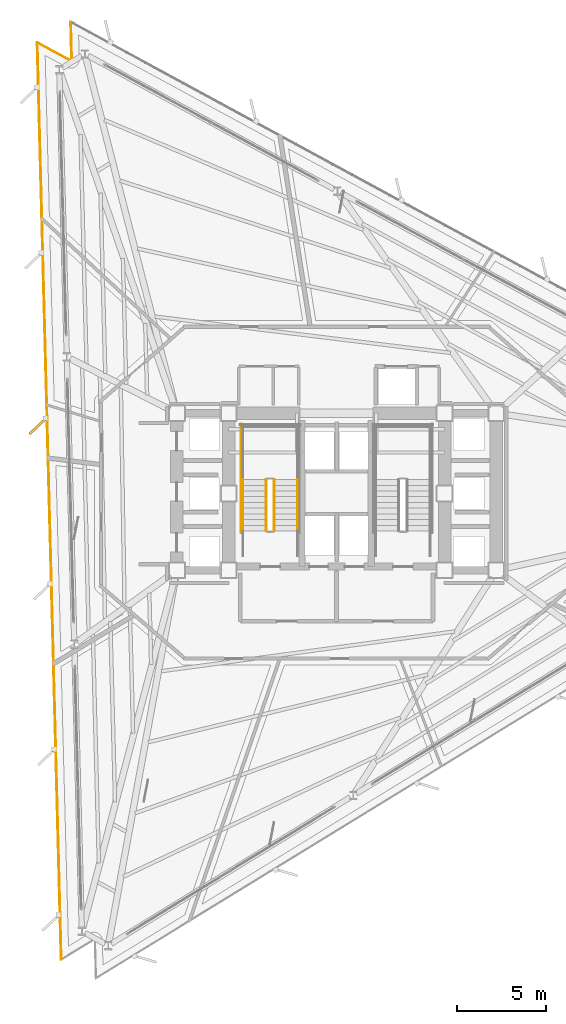
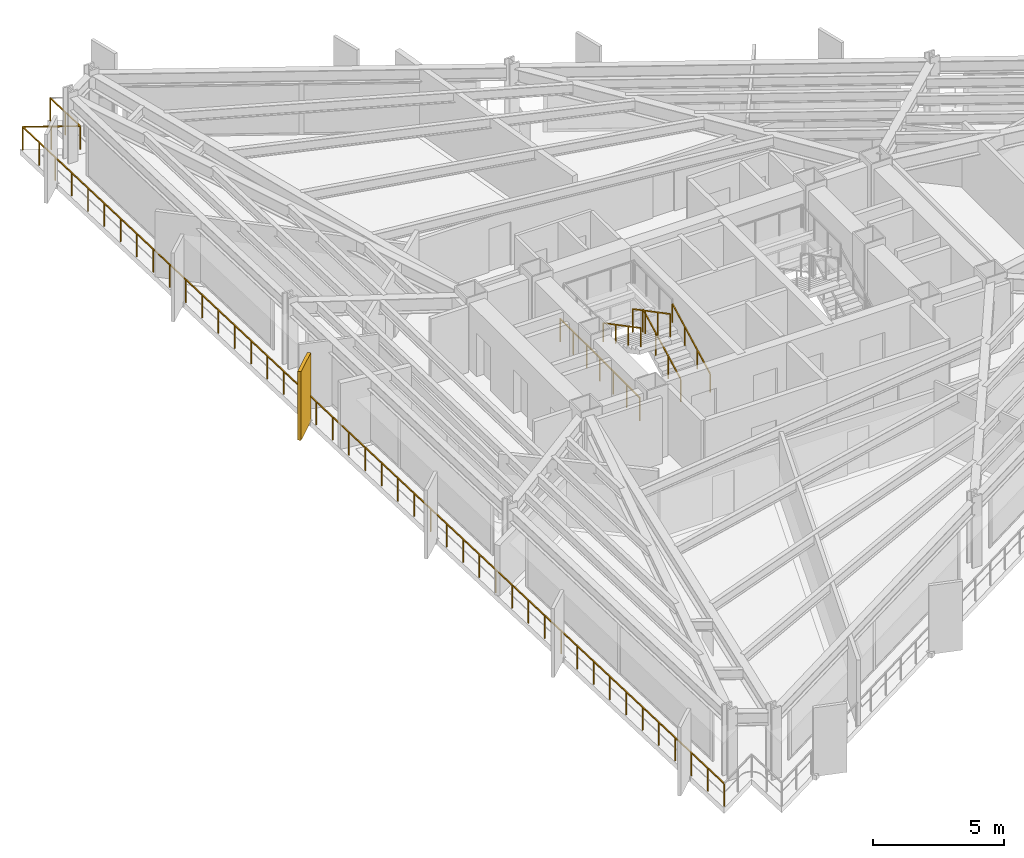
# One storey, part 12 of 14: 6 railings, 1 shading device.
"""IFC4 building model written with IfcOpenShell, lengths in metres."""

from ifc_helpers import new_model, si_unit, direction, frame, origin, origin_2d, place, context, subcontext, project, spatial, rectangle, extrude, material, layer, layer_set, type_object, element, save


model = new_model("IFC4")

# Units and contexts
model_context = context("Model", 3, precision=1e-05, world=origin(), true_north=direction((0.0, 1.0)))
body_context = subcontext(model_context, "Body", "Model", "MODEL_VIEW")
ifc_project = project(units=[si_unit("LENGTHUNIT", "METRE"), si_unit("AREAUNIT", "SQUARE_METRE"), si_unit("VOLUMEUNIT", "CUBIC_METRE"), si_unit("PLANEANGLEUNIT", "RADIAN"), si_unit("MASSUNIT", "GRAM", prefix="KILO")], contexts=[model_context])

# Site, building, storey
site_placement = place(None, origin())
site = spatial("IfcSite", under=ifc_project, at=site_placement, CompositionType="ELEMENT")
building_placement = place(site_placement, origin())
building = spatial("IfcBuilding", under=site, at=building_placement, Name="Rocaltana Carrier Exchange", CompositionType="ELEMENT")
storey_placement = place(building_placement, frame((0.0, 0.0, 35.679931640625)))
storey = spatial("IfcBuildingStorey", under=building, at=storey_placement, Name="L11", CompositionType="ELEMENT", Elevation=35.679931640625)

# Railings
ifc_material_1 = material(Name="Brushed Architectural Stainless Tube", Category="steel")
ifc_layer_1 = layer(ifc_material_1, 0.048095703125)
ifc_layer_set_1 = layer_set([ifc_layer_1], Name="Brushed Architectural Stainless Tube")
railing_type_1 = type_object("IfcRailingType", Name="Stair Wall Handrail 920", PredefinedType="HANDRAIL", material=ifc_layer_set_1)
railing_1_placement = place(storey_placement, frame((-2.18994140625, -2.10009765625, 0.16796875)))
element("IfcRailing", 1, at=railing_1_placement, inside=storey, type_object=railing_type_1, Name="L11 ST-1 stair handrail 1", PredefinedType="HANDRAIL", context=body_context, shape_type="SweptSolid", body=[
    extrude(rectangle(XDim=0.048095703125, YDim=0.048095703125, at=origin_2d()), frame((0.0, 0.0, 0.8759765625), z_axis=(0.0, 0.8853801414, 0.46486772873), x_axis=(-1.0, 0.0, 0.0)), (0.0, 0.0, 1.0), 3.2529296875),
    extrude(rectangle(XDim=0.0419921875, YDim=0.0419921875, at=origin_2d()), origin(), (0.0, 0.0, 1.0), 0.851806640625),
    extrude(rectangle(XDim=0.0419921875, YDim=0.0419921875, at=origin_2d()), frame((0.0, 0.9599609375, 0.504150390625)), (0.0, 0.0, 1.0), 0.851806640625),
    extrude(rectangle(XDim=0.0419921875, YDim=0.0419921875, at=origin_2d()), frame((0.0, 1.920166015625, 1.008056640625)), (0.0, 0.0, 1.0), 0.851806640625),
    extrude(rectangle(XDim=0.0419921875, YDim=0.0419921875, at=origin_2d()), frame((0.0, 2.880126953125, 1.51220703125)), (0.0, 0.0, 1.0), 0.851806640625),
])
railing_2_placement = place(storey_placement, frame((-5.25, 0.780029296875, 1.84814453125)))
element("IfcRailing", 2, at=railing_2_placement, inside=storey, type_object=railing_type_1, Name="L11 ST-1 stair handrail 2", PredefinedType="HANDRAIL", context=body_context, shape_type="SweptSolid", body=[
    extrude(rectangle(XDim=0.048095703125, YDim=0.048095703125, at=origin_2d()), frame((0.0, 0.0, 0.8759765625), z_axis=(0.0, -0.885411030485, 0.464808893091), x_axis=(1.0, 0.0, 0.0)), (0.0, 0.0, 1.0), 3.2529296875),
    extrude(rectangle(XDim=0.0419921875, YDim=0.0419921875, at=origin_2d()), origin(), (0.0, 0.0, 1.0), 0.851806640625),
    extrude(rectangle(XDim=0.0419921875, YDim=0.0419921875, at=origin_2d()), frame((0.0, -0.9599609375, 0.50390625)), (0.0, 0.0, 1.0), 0.851806640625),
    extrude(rectangle(XDim=0.0419921875, YDim=0.0419921875, at=origin_2d()), frame((0.0, -1.920166015625, 1.008056640625)), (0.0, 0.0, 1.0), 0.851806640625),
    extrude(rectangle(XDim=0.0419921875, YDim=0.0419921875, at=origin_2d()), frame((0.0, -2.880126953125, 1.511962890625)), (0.0, 0.0, 1.0), 0.851806640625),
])
ifc_material_2 = material(Name="Powder-Coated Aluminium 6063-T6", Category="aluminium")
ifc_layer_2 = layer(ifc_material_2, 0.048095703125)
ifc_layer_set_2 = layer_set([ifc_layer_2], Name="Powder-Coated Aluminium 6063-T6")
railing_type_2 = type_object("IfcRailingType", Name="Stair Well Guardrail 1100", PredefinedType="GUARDRAIL", material=ifc_layer_set_2)
railing_3_placement = place(storey_placement, frame((-3.489990234375, -2.10009765625, 0.16796875)))
element("IfcRailing", 3, at=railing_3_placement, inside=storey, type_object=railing_type_2, Name="L11 ST-1 stair guard 1", PredefinedType="GUARDRAIL", context=body_context, shape_type="SweptSolid", body=[
    extrude(rectangle(XDim=0.048095703125, YDim=0.048095703125, at=origin_2d()), frame((0.0, 0.0, 1.076171875), z_axis=(0.0, 0.8853801414, 0.46486772873), x_axis=(-1.0, 0.0, 0.0)), (0.0, 0.0, 1.0), 3.2529296875),
    extrude(rectangle(XDim=0.0419921875, YDim=0.0419921875, at=origin_2d()), origin(), (0.0, 0.0, 1.0), 1.052001953125),
    extrude(rectangle(XDim=0.0419921875, YDim=0.0419921875, at=origin_2d()), frame((0.0, 0.9599609375, 0.504150390625)), (0.0, 0.0, 1.0), 1.052001953125),
    extrude(rectangle(XDim=0.0419921875, YDim=0.0419921875, at=origin_2d()), frame((0.0, 1.920166015625, 1.008056640625)), (0.0, 0.0, 1.0), 1.052001953125),
    extrude(rectangle(XDim=0.0419921875, YDim=0.0419921875, at=origin_2d()), frame((0.0, 2.880126953125, 1.51220703125)), (0.0, 0.0, 1.0), 1.052001953125),
])
railing_4_placement = place(storey_placement, frame((-3.949951171875, 0.780029296875, 1.84814453125)))
element("IfcRailing", 4, at=railing_4_placement, inside=storey, type_object=railing_type_2, Name="L11 ST-1 stair guard 6", PredefinedType="GUARDRAIL", context=body_context, shape_type="SweptSolid", body=[
    extrude(rectangle(XDim=0.048095703125, YDim=0.048095703125, at=origin_2d()), frame((0.0, 0.0, 1.076171875), z_axis=(0.0, -0.885411030485, 0.464808893091), x_axis=(1.0, 0.0, 0.0)), (0.0, 0.0, 1.0), 3.2529296875),
    extrude(rectangle(XDim=0.0419921875, YDim=0.0419921875, at=origin_2d()), origin(), (0.0, 0.0, 1.0), 1.052001953125),
    extrude(rectangle(XDim=0.0419921875, YDim=0.0419921875, at=origin_2d()), frame((0.0, -0.9599609375, 0.50390625)), (0.0, 0.0, 1.0), 1.052001953125),
    extrude(rectangle(XDim=0.0419921875, YDim=0.0419921875, at=origin_2d()), frame((0.0, -1.920166015625, 1.008056640625)), (0.0, 0.0, 1.0), 1.052001953125),
    extrude(rectangle(XDim=0.0419921875, YDim=0.0419921875, at=origin_2d()), frame((0.0, -2.880126953125, 1.511962890625)), (0.0, 0.0, 1.0), 1.052001953125),
])
railing_5_placement = place(storey_placement, frame((-5.35009765625, -2.199951171875, 0.0)))
element("IfcRailing", 5, at=railing_5_placement, inside=storey, type_object=railing_type_2, Name="L11 ST-1 stair guard 11", PredefinedType="GUARDRAIL", context=body_context, shape_type="SweptSolid", body=[
    extrude(rectangle(XDim=0.048095703125, YDim=0.048095703125, at=origin_2d()), frame((0.0, 0.0, 1.076171875), z_axis=(0.0, 1.0, 0.0), x_axis=(-1.0, 0.0, 0.0)), (0.0, 0.0, 1.0), 6.099853515625),
    extrude(rectangle(XDim=0.0419921875, YDim=0.0419921875, at=origin_2d()), origin(), (0.0, 0.0, 1.0), 1.052001953125),
    extrude(rectangle(XDim=0.0419921875, YDim=0.0419921875, at=origin_2d()), frame((0.0, 1.0166015625, 0.0)), (0.0, 0.0, 1.0), 1.052001953125),
    extrude(rectangle(XDim=0.0419921875, YDim=0.0419921875, at=origin_2d()), frame((0.0, 2.033203125, 0.0)), (0.0, 0.0, 1.0), 1.052001953125),
    extrude(rectangle(XDim=0.0419921875, YDim=0.0419921875, at=origin_2d()), frame((0.0, 3.0498046875, 0.0)), (0.0, 0.0, 1.0), 1.052001953125),
    extrude(rectangle(XDim=0.0419921875, YDim=0.0419921875, at=origin_2d()), frame((0.0, 4.066650390625, 0.0)), (0.0, 0.0, 1.0), 1.052001953125),
    extrude(rectangle(XDim=0.0419921875, YDim=0.0419921875, at=origin_2d()), frame((0.0, 5.083251953125, 0.0)), (0.0, 0.0, 1.0), 1.052001953125),
    extrude(rectangle(XDim=0.0419921875, YDim=0.0419921875, at=origin_2d()), frame((0.0, 6.099853515625, 0.0)), (0.0, 0.0, 1.0), 1.052001953125),
])

# Shading device
ifc_material_3 = material(Name="Honed Bogota Sandstone & Concrete C45/55", Category="masonry")
ifc_layer_3 = layer(ifc_material_3, 0.139892578125)
ifc_layer_set_3 = layer_set([ifc_layer_3], Name="Honed Bogota Sandstone & Concrete C45/55")
shading_device_type = type_object("IfcShadingDeviceType", Name="Vertical Sandstone Shading Fin 1320x140", PredefinedType="USERDEFINED", material=ifc_layer_set_3)
shading_device_placement = place(storey_placement, frame((-16.7314453125, 3.78857421875, -0.1201171875), z_axis=(0.0, 0.0, 1.0), x_axis=(-0.725374371012, -0.688354575694, 0.0)))
element("IfcShadingDevice", 6, at=shading_device_placement, inside=storey, type_object=shading_device_type, Name="L11 Sandstone Vertical Fin F2-03", ObjectType="FIN", PredefinedType="USERDEFINED", context=body_context, shape_type="SweptSolid", body=[
    extrude(rectangle(XDim=1.320068359375, YDim=0.139892578125, at=origin_2d()), origin(), (0.0, 0.0, 1.0), 3.218017578125),
])

# Railing
ifc_material_4 = material(Name="Powder-Coated Aluminium 6063-T6", Category="aluminium")
ifc_layer_4 = layer(ifc_material_4, 0.06005859375)
ifc_layer_set_4 = layer_set([ifc_layer_4], Name="Powder-Coated Aluminium 6063-T6")
railing_type_3 = type_object("IfcRailingType", Name="Wind-Floor & Terrace Perimeter Guardrail 1100", PredefinedType="GUARDRAIL", material=ifc_layer_set_4)
railing_6_placement = place(storey_placement, frame((-15.427490234375, -26.10888671875, 0.0)))
element("IfcRailing", 7, at=railing_6_placement, inside=storey, type_object=railing_type_3, Name="L11 Perimeter Balcony Guardrail 2", PredefinedType="GUARDRAIL", context=body_context, shape_type="SweptSolid", body=[
    extrude(rectangle(XDim=0.048095703125, YDim=0.048095703125, at=origin_2d()), frame((0.0, 0.0, 1.076171875), z_axis=(-0.02618025491, 0.999657238384, 0.0), x_axis=(-0.999657238384, -0.02618025491, 0.0)), (0.0, 0.0, 1.0), 51.39208984375),
    extrude(rectangle(XDim=0.048095703125, YDim=0.048095703125, at=origin_2d()), frame((-1.345458984375, 51.37451171875, 1.076171875), z_axis=(0.878801578058, -0.477187370331, 0.0), x_axis=(0.477187370331, 0.878801578058, 0.0)), (0.0, 0.0, 1.0), 2.199951171875),
    extrude(rectangle(XDim=0.048095703125, YDim=0.048095703125, at=origin_2d()), frame((0.587890625, 50.32470703125, 1.076171875), z_axis=(-0.026187042546, 0.999657060598, 0.0), x_axis=(-0.999657060598, -0.026187042546, 0.0)), (0.0, 0.0, 1.0), 2.2001953125),
    extrude(rectangle(XDim=0.0419921875, YDim=0.0419921875, at=origin_2d()), origin(), (0.0, 0.0, 1.0), 1.052001953125),
    extrude(rectangle(XDim=0.0419921875, YDim=0.0419921875, at=origin_2d()), frame((-0.03125, 1.19482421875, 0.0)), (0.0, 0.0, 1.0), 1.052001953125),
    extrude(rectangle(XDim=0.0419921875, YDim=0.0419921875, at=origin_2d()), frame((-0.0625, 2.389404296875, 0.0)), (0.0, 0.0, 1.0), 1.052001953125),
    extrude(rectangle(XDim=0.0419921875, YDim=0.0419921875, at=origin_2d()), frame((-0.09375, 3.584228515625, 0.0)), (0.0, 0.0, 1.0), 1.052001953125),
    extrude(rectangle(XDim=0.0419921875, YDim=0.0419921875, at=origin_2d()), frame((-0.125244140625, 4.779052734375, 0.0)), (0.0, 0.0, 1.0), 1.052001953125),
    extrude(rectangle(XDim=0.0419921875, YDim=0.0419921875, at=origin_2d()), frame((-0.156494140625, 5.973876953125, 0.0)), (0.0, 0.0, 1.0), 1.052001953125),
    extrude(rectangle(XDim=0.0419921875, YDim=0.0419921875, at=origin_2d()), frame((-0.187744140625, 7.16845703125, 0.0)), (0.0, 0.0, 1.0), 1.052001953125),
    extrude(rectangle(XDim=0.0419921875, YDim=0.0419921875, at=origin_2d()), frame((-0.218994140625, 8.36328125, 0.0)), (0.0, 0.0, 1.0), 1.052001953125),
    extrude(rectangle(XDim=0.0419921875, YDim=0.0419921875, at=origin_2d()), frame((-0.250244140625, 9.55810546875, 0.0)), (0.0, 0.0, 1.0), 1.052001953125),
    extrude(rectangle(XDim=0.0419921875, YDim=0.0419921875, at=origin_2d()), frame((-0.281494140625, 10.752685546875, 0.0)), (0.0, 0.0, 1.0), 1.052001953125),
    extrude(rectangle(XDim=0.0419921875, YDim=0.0419921875, at=origin_2d()), frame((-0.31298828125, 11.947509765625, 0.0)), (0.0, 0.0, 1.0), 1.052001953125),
    extrude(rectangle(XDim=0.0419921875, YDim=0.0419921875, at=origin_2d()), frame((-0.34423828125, 13.142333984375, 0.0)), (0.0, 0.0, 1.0), 1.052001953125),
    extrude(rectangle(XDim=0.0419921875, YDim=0.0419921875, at=origin_2d()), frame((-0.37548828125, 14.337158203125, 0.0)), (0.0, 0.0, 1.0), 1.052001953125),
    extrude(rectangle(XDim=0.0419921875, YDim=0.0419921875, at=origin_2d()), frame((-0.40673828125, 15.53173828125, 0.0)), (0.0, 0.0, 1.0), 1.052001953125),
    extrude(rectangle(XDim=0.0419921875, YDim=0.0419921875, at=origin_2d()), frame((-0.43798828125, 16.7265625, 0.0)), (0.0, 0.0, 1.0), 1.052001953125),
    extrude(rectangle(XDim=0.0419921875, YDim=0.0419921875, at=origin_2d()), frame((-0.46923828125, 17.92138671875, 0.0)), (0.0, 0.0, 1.0), 1.052001953125),
    extrude(rectangle(XDim=0.0419921875, YDim=0.0419921875, at=origin_2d()), frame((-0.500732421875, 19.1162109375, 0.0)), (0.0, 0.0, 1.0), 1.052001953125),
    extrude(rectangle(XDim=0.0419921875, YDim=0.0419921875, at=origin_2d()), frame((-0.531982421875, 20.310791015625, 0.0)), (0.0, 0.0, 1.0), 1.052001953125),
    extrude(rectangle(XDim=0.0419921875, YDim=0.0419921875, at=origin_2d()), frame((-0.563232421875, 21.505615234375, 0.0)), (0.0, 0.0, 1.0), 1.052001953125),
    extrude(rectangle(XDim=0.0419921875, YDim=0.0419921875, at=origin_2d()), frame((-0.594482421875, 22.700439453125, 0.0)), (0.0, 0.0, 1.0), 1.052001953125),
    extrude(rectangle(XDim=0.0419921875, YDim=0.0419921875, at=origin_2d()), frame((-0.625732421875, 23.89501953125, 0.0)), (0.0, 0.0, 1.0), 1.052001953125),
    extrude(rectangle(XDim=0.0419921875, YDim=0.0419921875, at=origin_2d()), frame((-0.656982421875, 25.08984375, 0.0)), (0.0, 0.0, 1.0), 1.052001953125),
    extrude(rectangle(XDim=0.0419921875, YDim=0.0419921875, at=origin_2d()), frame((-0.6884765625, 26.28466796875, 0.0)), (0.0, 0.0, 1.0), 1.052001953125),
    extrude(rectangle(XDim=0.0419921875, YDim=0.0419921875, at=origin_2d()), frame((-0.7197265625, 27.4794921875, 0.0)), (0.0, 0.0, 1.0), 1.052001953125),
    extrude(rectangle(XDim=0.0419921875, YDim=0.0419921875, at=origin_2d()), frame((-0.7509765625, 28.674072265625, 0.0)), (0.0, 0.0, 1.0), 1.052001953125),
    extrude(rectangle(XDim=0.0419921875, YDim=0.0419921875, at=origin_2d()), frame((-0.7822265625, 29.868896484375, 0.0)), (0.0, 0.0, 1.0), 1.052001953125),
    extrude(rectangle(XDim=0.0419921875, YDim=0.0419921875, at=origin_2d()), frame((-0.8134765625, 31.063720703125, 0.0)), (0.0, 0.0, 1.0), 1.052001953125),
    extrude(rectangle(XDim=0.0419921875, YDim=0.0419921875, at=origin_2d()), frame((-0.8447265625, 32.25830078125, 0.0)), (0.0, 0.0, 1.0), 1.052001953125),
    extrude(rectangle(XDim=0.0419921875, YDim=0.0419921875, at=origin_2d()), frame((-0.876220703125, 33.453125, 0.0)), (0.0, 0.0, 1.0), 1.052001953125),
    extrude(rectangle(XDim=0.0419921875, YDim=0.0419921875, at=origin_2d()), frame((-0.907470703125, 34.64794921875, 0.0)), (0.0, 0.0, 1.0), 1.052001953125),
    extrude(rectangle(XDim=0.0419921875, YDim=0.0419921875, at=origin_2d()), frame((-0.938720703125, 35.8427734375, 0.0)), (0.0, 0.0, 1.0), 1.052001953125),
    extrude(rectangle(XDim=0.0419921875, YDim=0.0419921875, at=origin_2d()), frame((-0.969970703125, 37.037353515625, 0.0)), (0.0, 0.0, 1.0), 1.052001953125),
    extrude(rectangle(XDim=0.0419921875, YDim=0.0419921875, at=origin_2d()), frame((-1.001220703125, 38.232177734375, 0.0)), (0.0, 0.0, 1.0), 1.052001953125),
    extrude(rectangle(XDim=0.0419921875, YDim=0.0419921875, at=origin_2d()), frame((-1.032470703125, 39.427001953125, 0.0)), (0.0, 0.0, 1.0), 1.052001953125),
    extrude(rectangle(XDim=0.0419921875, YDim=0.0419921875, at=origin_2d()), frame((-1.06396484375, 40.621826171875, 0.0)), (0.0, 0.0, 1.0), 1.052001953125),
    extrude(rectangle(XDim=0.0419921875, YDim=0.0419921875, at=origin_2d()), frame((-1.09521484375, 41.81640625, 0.0)), (0.0, 0.0, 1.0), 1.052001953125),
    extrude(rectangle(XDim=0.0419921875, YDim=0.0419921875, at=origin_2d()), frame((-1.12646484375, 43.01123046875, 0.0)), (0.0, 0.0, 1.0), 1.052001953125),
    extrude(rectangle(XDim=0.0419921875, YDim=0.0419921875, at=origin_2d()), frame((-1.15771484375, 44.2060546875, 0.0)), (0.0, 0.0, 1.0), 1.052001953125),
    extrude(rectangle(XDim=0.0419921875, YDim=0.0419921875, at=origin_2d()), frame((-1.18896484375, 45.400634765625, 0.0)), (0.0, 0.0, 1.0), 1.052001953125),
    extrude(rectangle(XDim=0.0419921875, YDim=0.0419921875, at=origin_2d()), frame((-1.22021484375, 46.595458984375, 0.0)), (0.0, 0.0, 1.0), 1.052001953125),
    extrude(rectangle(XDim=0.0419921875, YDim=0.0419921875, at=origin_2d()), frame((-1.251708984375, 47.790283203125, 0.0)), (0.0, 0.0, 1.0), 1.052001953125),
    extrude(rectangle(XDim=0.0419921875, YDim=0.0419921875, at=origin_2d()), frame((-1.282958984375, 48.985107421875, 0.0)), (0.0, 0.0, 1.0), 1.052001953125),
    extrude(rectangle(XDim=0.0419921875, YDim=0.0419921875, at=origin_2d()), frame((-1.314208984375, 50.1796875, 0.0)), (0.0, 0.0, 1.0), 1.052001953125),
    extrude(rectangle(XDim=0.0419921875, YDim=0.0419921875, at=origin_2d()), frame((-1.345458984375, 51.37451171875, 0.0)), (0.0, 0.0, 1.0), 1.052001953125),
    extrude(rectangle(XDim=0.0419921875, YDim=0.0419921875, at=origin_2d()), frame((-0.37890625, 50.849609375, 0.0)), (0.0, 0.0, 1.0), 1.052001953125),
    extrude(rectangle(XDim=0.0419921875, YDim=0.0419921875, at=origin_2d()), frame((0.587890625, 50.32470703125, 0.0)), (0.0, 0.0, 1.0), 1.052001953125),
    extrude(rectangle(XDim=0.0419921875, YDim=0.0419921875, at=origin_2d()), frame((0.55908203125, 51.42431640625, 0.0)), (0.0, 0.0, 1.0), 1.052001953125),
    extrude(rectangle(XDim=0.0419921875, YDim=0.0419921875, at=origin_2d()), frame((0.5302734375, 52.524169921875, 0.0)), (0.0, 0.0, 1.0), 1.052001953125),
])

save(model, "model.ifc")
